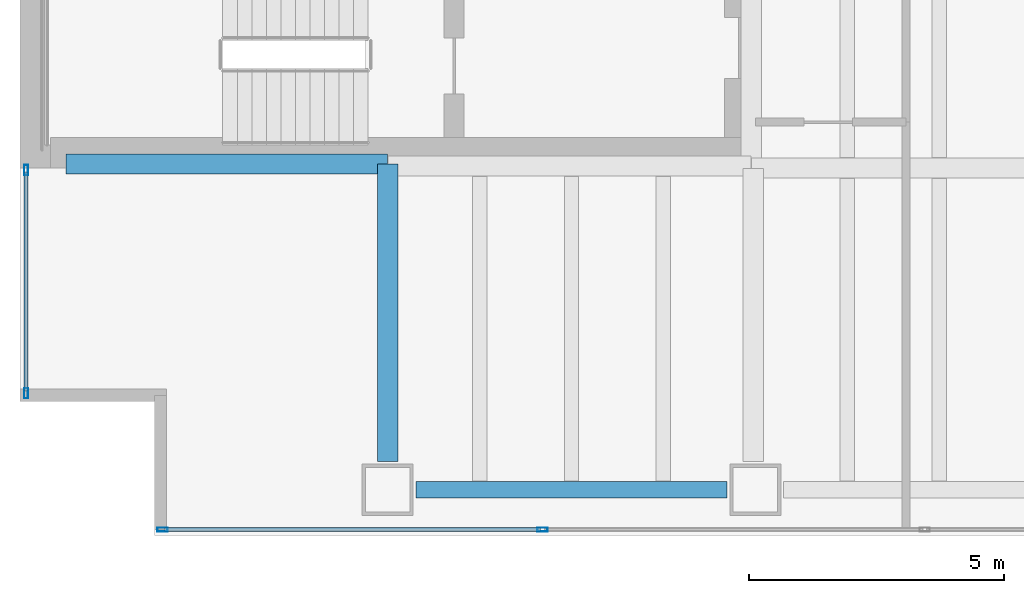
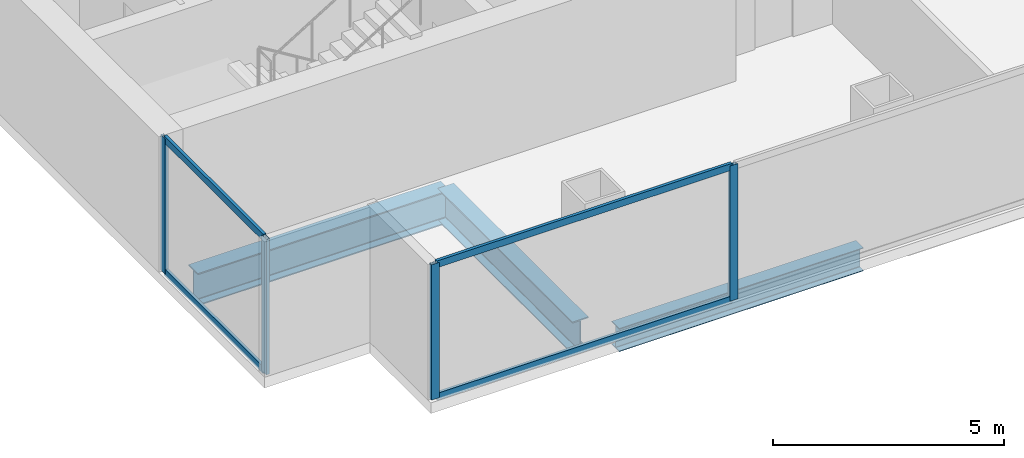
# One storey, part 2 of 25: 8 members, 3 beams, 2 elements without a shape of their own.
"""IFC4 building model written with IfcOpenShell, lengths in metres."""

import ifcopenshell
import ifcopenshell.guid

model = None  # the IFC model being written
_history = None  # IfcOwnerHistory: only IFC2X3 demands one
_inside = {}  # id of a spatial element -> (the spatial element, [elements in it])
_under = {}  # id of a project, library or spatial element -> (it, [spatial elements below it])
_declared = {}  # id of a project -> (the project, [libraries it declares])
_typed = {}  # id of a type object -> (the type object, [elements of that type])
_made_of = {}  # id of a material, layer set ... -> (it, [elements and type objects made of it])


def new_model(schema):
    """Start an empty IFC model of exactly this schema.

    Asked for "IFC4X3", IfcOpenShell would pick the latest addendum, in which some entities
    have other attributes; the version numbers below select the first issue.
    IFC2X3 requires an IfcOwnerHistory on every rooted entity: one is made here for all.
    """
    global model, _history
    if schema == "IFC4X3":
        model = ifcopenshell.file(schema_version=(4, 3, 0, 0))
    else:
        model = ifcopenshell.file(schema=schema)
    _inside.clear()
    _under.clear()
    _declared.clear()
    _typed.clear()
    _made_of.clear()
    _history = None
    if model.schema == "IFC2X3":
        org = make("IfcOrganization", Name="unknown")
        user = make(
            "IfcPersonAndOrganization",
            ThePerson=make("IfcPerson", FamilyName="unknown"),
            TheOrganization=org,
        )
        app = make(
            "IfcApplication",
            ApplicationDeveloper=org,
            Version="unknown",
            ApplicationFullName="unknown",
            ApplicationIdentifier="unknown",
        )
        _history = make(
            "IfcOwnerHistory",
            OwningUser=user,
            OwningApplication=app,
            ChangeAction="ADDED",
            CreationDate=0,
        )
    return model


def make(cls, **values):
    """One entity of the class cls with the attributes given. An attribute that is None is left unset."""
    return model.create_entity(
        cls, **{name: value for name, value in values.items() if value is not None}
    )


def rooted(cls, **values):
    """An entity with a GlobalId (a new one), such as an element, a storey or a relation."""
    return make(cls, GlobalId=ifcopenshell.guid.new(), OwnerHistory=_history, **values)


def si_unit(unit_type, name, prefix=None):
    """IfcSIUnit, for example si_unit("LENGTHUNIT", "METRE", prefix="MILLI")."""
    return make("IfcSIUnit", UnitType=unit_type, Prefix=prefix, Name=name)


def assignment(units):
    """IfcUnitAssignment: the units of a project."""
    return None if units is None else make("IfcUnitAssignment", Units=units)


def point(xyz):
    """IfcCartesianPoint."""
    return None if xyz is None else make("IfcCartesianPoint", Coordinates=xyz)


def direction(xyz):
    """IfcDirection."""
    return None if xyz is None else make("IfcDirection", DirectionRatios=xyz)


def frame(location, z_axis=None, x_axis=None):
    """IfcAxis2Placement3D, a coordinate frame: its origin and axes. An axis left out is left unset."""
    return make(
        "IfcAxis2Placement3D",
        Location=point(location),
        Axis=direction(z_axis),
        RefDirection=direction(x_axis),
    )


def frame_2d(location, x_axis=None):
    """IfcAxis2Placement2D, a coordinate frame in the plane: its origin and x axis."""
    return make(
        "IfcAxis2Placement2D", Location=point(location), RefDirection=direction(x_axis)
    )


def origin():
    """The frame at (0, 0, 0) with its axes left unset."""
    return frame((0.0, 0.0, 0.0))


def origin_2d():
    """The frame at (0, 0) in the plane with its x axis left unset."""
    return frame_2d((0.0, 0.0))


def place(relative_to, where):
    """IfcLocalPlacement: puts the frame where relative to a parent placement (None: the world)."""
    return make(
        "IfcLocalPlacement", PlacementRelTo=relative_to, RelativePlacement=where
    )


def context(
    kind, dimensions, precision=None, world=None, true_north=None, identifier=None
):
    """IfcGeometricRepresentationContext, for example the 3D "Model" context."""
    return make(
        "IfcGeometricRepresentationContext",
        ContextIdentifier=identifier,
        ContextType=kind,
        CoordinateSpaceDimension=dimensions,
        Precision=precision,
        WorldCoordinateSystem=world,
        TrueNorth=true_north,
    )


def subcontext(parent, identifier, kind, view, scale=None):
    """IfcGeometricRepresentationSubContext, for example "Body" below "Model"."""
    return make(
        "IfcGeometricRepresentationSubContext",
        ContextIdentifier=identifier,
        ContextType=kind,
        ParentContext=parent,
        TargetScale=scale,
        TargetView=view,
    )


def project(units=None, contexts=None):
    """IfcProject with its units and contexts."""
    return rooted(
        "IfcProject",
        Name="project",
        RepresentationContexts=contexts,
        UnitsInContext=assignment(units),
    )


def spatial(cls, under=None, at=None, **own):
    """A site, building, storey or space (cls), placed at a placement, below another one or the project."""
    s = rooted(cls, ObjectPlacement=at, **own)
    if under is not None:
        _under.setdefault(under.id(), (under, []))[1].append(s)
    return s


def profile(cls, at=None, kind="AREA", **sizes):
    """A parametric profile (cls). Its sizes go by their IFC names, for example OverallWidth=200.0."""
    return make(cls, ProfileType=kind, Position=at, **sizes)


def hollow_rectangle(**sizes):
    """IfcRectangleHollowProfileDef."""
    return profile("IfcRectangleHollowProfileDef", **sizes)


def i_section(**sizes):
    """IfcIShapeProfileDef."""
    return profile("IfcIShapeProfileDef", **sizes)


def extrude(swept, where, along, depth):
    """IfcExtrudedAreaSolid: the profile swept, set in the frame where, extruded along a direction by depth."""
    return make(
        "IfcExtrudedAreaSolid",
        SweptArea=swept,
        Position=where,
        ExtrudedDirection=direction(along),
        Depth=depth,
    )


def shape(context_of_items, identifier, shape_type, items):
    """IfcShapeRepresentation: the items that make up one representation, for example the "Body"."""
    return make(
        "IfcShapeRepresentation",
        ContextOfItems=context_of_items,
        RepresentationIdentifier=identifier,
        RepresentationType=shape_type,
        Items=items,
    )


def material(Name=None, Category=None):
    """IfcMaterial."""
    return make("IfcMaterial", Name=Name, Category=Category)


def material_profile(
    of_material, cross_section, Name=None, Category=None, Priority=None
):
    """IfcMaterialProfile: a cross section and its material."""
    return make(
        "IfcMaterialProfile",
        Name=Name,
        Material=of_material,
        Profile=cross_section,
        Priority=Priority,
        Category=Category,
    )


def profile_set(profiles, Name=None, composite=None):
    """IfcMaterialProfileSet."""
    return make(
        "IfcMaterialProfileSet",
        Name=Name,
        MaterialProfiles=profiles,
        CompositeProfile=composite,
    )


def made_of(thing, what):
    """Note that an element or type object is made of a material, layer set ...; save() writes the relation."""
    if what is not None:
        _made_of.setdefault(what.id(), (what, []))[1].append(thing)
    return thing


def type_object(cls, material=None, **own):
    """A type object (cls), such as IfcWallType, which elements share."""
    return made_of(rooted(cls, **own), material)


def element(
    cls,
    number,
    at=None,
    inside=None,
    cuts=None,
    type_object=None,
    material=None,
    context=None,
    identifier="Body",
    shape_type=None,
    held_by="IfcProductDefinitionShape",
    body=None,
    shapes=None,
    **own,
):
    """One element of the class cls, such as IfcWall. Its Tag is "e" and its number.

    at: its placement. inside: the storey or other place that contains it. cuts: it is an
    opening in that element (IfcRelVoidsElement). A single representation is given by context,
    identifier, shape_type and body (its items); several are given by shapes. held_by: the class
    of the entity that holds the representations. save() writes the other relations.
    """
    e = rooted(cls, Tag="e%d" % number, ObjectPlacement=at, **own)
    if body is not None:
        shapes = [shape(context, identifier, shape_type, body)]
    if shapes is not None:
        e.Representation = make(held_by, Representations=shapes)
    if inside is not None:
        _inside.setdefault(inside.id(), (inside, []))[1].append(e)
    if cuts is not None:
        rooted(
            "IfcRelVoidsElement", RelatingBuildingElement=cuts, RelatedOpeningElement=e
        )
    if type_object is not None:
        _typed.setdefault(type_object.id(), (type_object, []))[1].append(e)
    return made_of(e, material)


def aggregate(whole, parts):
    """IfcRelAggregates: a whole, such as a stair, and the parts it consists of."""
    return rooted("IfcRelAggregates", RelatingObject=whole, RelatedObjects=parts)


def save(model, path):
    """Write the relations noted so far, then the file.

    IfcRelAggregates (storeys below a building ...), IfcRelContainedInSpatialStructure (elements
    in a storey), IfcRelDefinesByType, IfcRelAssociatesMaterial and IfcRelDeclares: one each for
    every whole, place, type object, material and project.
    """
    for whole, parts in _under.values():
        aggregate(whole, parts)
    for where, things in _inside.values():
        rooted(
            "IfcRelContainedInSpatialStructure",
            RelatedElements=things,
            RelatingStructure=where,
        )
    for kind, things in _typed.values():
        rooted("IfcRelDefinesByType", RelatedObjects=things, RelatingType=kind)
    for what, things in _made_of.values():
        rooted("IfcRelAssociatesMaterial", RelatedObjects=things, RelatingMaterial=what)
    for by, libraries in _declared.values():
        rooted("IfcRelDeclares", RelatingContext=by, RelatedDefinitions=libraries)
    model.write(path)


model = new_model("IFC4")

# Units and contexts
model_context = context("Model", 3, precision=1e-05, world=origin(), true_north=direction((0.0, 1.0)))
body_context = subcontext(model_context, "Body", "Model", "MODEL_VIEW")
ifc_project = project(units=[si_unit("LENGTHUNIT", "METRE"), si_unit("AREAUNIT", "SQUARE_METRE"), si_unit("VOLUMEUNIT", "CUBIC_METRE"), si_unit("PLANEANGLEUNIT", "RADIAN"), si_unit("MASSUNIT", "GRAM", prefix="KILO")], contexts=[model_context])

# Site, building, storey
site_placement = place(None, origin())
site = spatial("IfcSite", under=ifc_project, at=site_placement, CompositionType="ELEMENT")
building_placement = place(site_placement, origin())
building = spatial("IfcBuilding", under=site, at=building_placement, Name="Cobrela Telecom Tower", CompositionType="ELEMENT")
storey_placement = place(building_placement, frame((0.0, 0.0, 46.550048828125)))
storey = spatial("IfcBuildingStorey", under=building, at=storey_placement, Name="L11", CompositionType="ELEMENT", Elevation=46.550048828125)

# Beams
ifc_material_1 = material(Name="Steel ASTM A992 Grade 50", Category="steel")
ifc_material_profile_1 = material_profile(ifc_material_1, i_section(OverallWidth=0.39892578125, OverallDepth=0.85595703125, WebThickness=0.018310546875, FlangeThickness=0.029296875, FilletRadius=0.02001953125, at=origin_2d()), Name="W33X201")
ifc_profile_set_1 = profile_set([ifc_material_profile_1], Name="Steel ASTM A992 Grade 50")
beam_type_1 = type_object("IfcBeamType", Name="BM-GIRD-03", PredefinedType="USERDEFINED", material=ifc_profile_set_1)
beam_1_placement = place(storey_placement, frame((0.905029296875, 7.280029296875, -0.7080078125), z_axis=(1.0, 0.0, 0.0), x_axis=(0.0, 1.0, 0.0)))
element("IfcBeam", 1, at=beam_1_placement, inside=storey, type_object=beam_type_1, Name="L11 Primary Girder X06", ObjectType="GIRDER", PredefinedType="USERDEFINED", context=body_context, shape_type="SweptSolid", body=[
    extrude(i_section(OverallWidth=0.39892578125, OverallDepth=0.85595703125, WebThickness=0.018310546875, FlangeThickness=0.029296875, FilletRadius=0.02001953125, at=origin_2d()), origin(), (0.0, 0.0, 1.0), 6.2900390625),
])
beam_2_placement = place(storey_placement, frame((7.199951171875, 1.455078125, -0.7080078125), z_axis=(0.0, 1.0, 0.0), x_axis=(-1.0, 0.0, 0.0)))
element("IfcBeam", 2, at=beam_2_placement, inside=storey, type_object=beam_type_1, Name="L11 Primary Girder Y32", ObjectType="GIRDER", PredefinedType="USERDEFINED", context=body_context, shape_type="SweptSolid", body=[
    extrude(i_section(OverallWidth=0.39892578125, OverallDepth=0.85595703125, WebThickness=0.018310546875, FlangeThickness=0.029296875, FilletRadius=0.02001953125, at=origin_2d()), origin(), (0.0, 0.0, 1.0), 5.81982421875),
])
ifc_material_profile_2 = material_profile(ifc_material_1, i_section(OverallWidth=0.324951171875, OverallDepth=0.612060546875, WebThickness=0.0126953125, FlangeThickness=0.01904296875, FilletRadius=0.014892578125, at=origin_2d()), Name="W24X104")
ifc_profile_set_2 = profile_set([ifc_material_profile_2], Name="Steel ASTM A992 Grade 50")
beam_type_2 = type_object("IfcBeamType", Name="BM-SPAND-02", PredefinedType="SPANDREL", material=ifc_profile_set_2)
beam_3_placement = place(storey_placement, frame((7.7548828125, 0.89990234375, -0.5859375), z_axis=(1.0, 0.0, 0.0), x_axis=(0.0, 1.0, 0.0)))
element("IfcBeam", 3, at=beam_3_placement, inside=storey, type_object=beam_type_2, Name="L11 Perimeter Spandrel X01", PredefinedType="SPANDREL", context=body_context, shape_type="SweptSolid", body=[
    extrude(i_section(OverallWidth=0.324951171875, OverallDepth=0.612060546875, WebThickness=0.0126953125, FlangeThickness=0.01904296875, FilletRadius=0.014892578125, at=origin_2d()), origin(), (0.0, 0.0, 1.0), 6.090087890625),
])

# Curtain wall, members
ifc_material_2 = material(Name="Anodized Bronze Aluminium 6063-T6", Category="aluminium")
curtain_wall_type = type_object("IfcCurtainWallType", Name="CW-SYS-DATA", PredefinedType="USERDEFINED", material=ifc_material_2)
curtain_wall_1_placement = place(storey_placement, origin())
curtain_wall_1 = element("IfcCurtainWall", 4, at=curtain_wall_1_placement, inside=storey, type_object=curtain_wall_type, Name="L11 Unitised Bronze Curtain Wall 03", ObjectType="UNITISED CURTAIN WALL", PredefinedType="USERDEFINED")
ifc_material_profile_3 = material_profile(ifc_material_2, hollow_rectangle(XDim=0.080078125, YDim=0.199951171875, WallThickness=0.00390625, at=origin_2d()), Name="ALU 80x200x4")
ifc_profile_set_3 = profile_set([ifc_material_profile_3], Name="Anodized Bronze Aluminium 6063-T6")
member_type_1 = type_object("IfcMemberType", Name="CW-SYS-DATA-MUL", PredefinedType="MULLION", material=ifc_profile_set_3)
member_1_placement = place(storey_placement, frame((0.1201171875, 2.7900390625, 0.0), z_axis=(0.0, 0.0, 1.0), x_axis=(-1.0, 0.0, 0.0)))
member_1 = element("IfcMember", 5, at=member_1_placement, type_object=member_type_1, Name="CW-DATA mullion 1", PredefinedType="MULLION", context=body_context, shape_type="SweptSolid", body=[
    extrude(hollow_rectangle(XDim=0.080078125, YDim=0.199951171875, WallThickness=0.00390625, at=origin_2d()), origin(), (0.0, 0.0, 1.0), 3.570068359375),
])
member_2_placement = place(storey_placement, frame((0.1201171875, 7.159912109375, 0.0), z_axis=(0.0, 0.0, 1.0), x_axis=(-1.0, 0.0, 0.0)))
member_2 = element("IfcMember", 6, at=member_2_placement, type_object=member_type_1, Name="CW-DATA mullion 2", PredefinedType="MULLION", context=body_context, shape_type="SweptSolid", body=[
    extrude(hollow_rectangle(XDim=0.080078125, YDim=0.199951171875, WallThickness=0.00390625, at=origin_2d()), origin(), (0.0, 0.0, 1.0), 3.570068359375),
])

curtain_wall_2_placement = place(storey_placement, origin())
curtain_wall_2 = element("IfcCurtainWall", 7, at=curtain_wall_2_placement, inside=storey, type_object=curtain_wall_type, Name="L11 Unitised Bronze Curtain Wall 17", ObjectType="UNITISED CURTAIN WALL", PredefinedType="USERDEFINED")
member_3_placement = place(storey_placement, frame((10.2333984375, 0.1201171875, 0.0), z_axis=(0.0, 0.0, 1.0), x_axis=(0.0, -1.0, 0.0)))
member_3 = element("IfcMember", 8, at=member_3_placement, type_object=member_type_1, Name="CW-DATA mullion 6", PredefinedType="MULLION", context=body_context, shape_type="SweptSolid", body=[
    extrude(hollow_rectangle(XDim=0.080078125, YDim=0.199951171875, WallThickness=0.00390625, at=origin_2d()), origin(), (0.0, 0.0, 1.0), 3.570068359375),
])
member_4_placement = place(storey_placement, frame((2.7900390625, 0.1201171875, 0.0), z_axis=(0.0, 0.0, 1.0), x_axis=(0.0, -1.0, 0.0)))
member_4 = element("IfcMember", 9, at=member_4_placement, type_object=member_type_1, Name="CW-DATA mullion 7", PredefinedType="MULLION", context=body_context, shape_type="SweptSolid", body=[
    extrude(hollow_rectangle(XDim=0.080078125, YDim=0.199951171875, WallThickness=0.00390625, at=origin_2d()), origin(), (0.0, 0.0, 1.0), 3.570068359375),
])

# Member
ifc_material_profile_4 = material_profile(ifc_material_2, hollow_rectangle(XDim=0.074951171875, YDim=0.179931640625, WallThickness=0.00390625, at=origin_2d()), Name="ALU 75x180x4")
ifc_profile_set_4 = profile_set([ifc_material_profile_4], Name="Anodized Bronze Aluminium 6063-T6")
member_type_2 = type_object("IfcMemberType", Name="CW-SYS-DATA-TRN", PredefinedType="USERDEFINED", material=ifc_profile_set_4)
member_5_placement = place(storey_placement, frame((0.1201171875, 2.830078125, 0.037353515625), z_axis=(0.0, 1.0, 0.0), x_axis=(-1.0, 0.0, 0.0)))
member_5 = element("IfcMember", 10, at=member_5_placement, type_object=member_type_2, Name="CW-DATA transom 1.1", ObjectType="TRANSOM", PredefinedType="USERDEFINED", context=body_context, shape_type="SweptSolid", body=[
    extrude(hollow_rectangle(XDim=0.074951171875, YDim=0.179931640625, WallThickness=0.00390625, at=origin_2d()), origin(), (0.0, 0.0, 1.0), 4.2900390625),
])

member_6_placement = place(storey_placement, frame((0.1201171875, 2.830078125, 3.532470703125), z_axis=(0.0, 1.0, 0.0), x_axis=(-1.0, 0.0, 0.0)))
member_6 = element("IfcMember", 11, at=member_6_placement, type_object=member_type_2, Name="CW-DATA transom 1.2", ObjectType="TRANSOM", PredefinedType="USERDEFINED", context=body_context, shape_type="SweptSolid", body=[
    extrude(hollow_rectangle(XDim=0.074951171875, YDim=0.179931640625, WallThickness=0.00390625, at=origin_2d()), origin(), (0.0, 0.0, 1.0), 4.2900390625),
])

aggregate(curtain_wall_1, [member_1, member_2, member_5, member_6])

member_7_placement = place(storey_placement, frame((10.193359375, 0.1201171875, 0.037353515625), z_axis=(-1.0, 0.0, 0.0), x_axis=(0.0, -1.0, 0.0)))
member_7 = element("IfcMember", 12, at=member_7_placement, type_object=member_type_2, Name="CW-DATA transom 6.1", ObjectType="TRANSOM", PredefinedType="USERDEFINED", context=body_context, shape_type="SweptSolid", body=[
    extrude(hollow_rectangle(XDim=0.074951171875, YDim=0.179931640625, WallThickness=0.00390625, at=origin_2d()), origin(), (0.0, 0.0, 1.0), 7.36328125),
])

member_8_placement = place(storey_placement, frame((10.193359375, 0.1201171875, 3.532470703125), z_axis=(-1.0, 0.0, 0.0), x_axis=(0.0, -1.0, 0.0)))
member_8 = element("IfcMember", 13, at=member_8_placement, type_object=member_type_2, Name="CW-DATA transom 6.2", ObjectType="TRANSOM", PredefinedType="USERDEFINED", context=body_context, shape_type="SweptSolid", body=[
    extrude(hollow_rectangle(XDim=0.074951171875, YDim=0.179931640625, WallThickness=0.00390625, at=origin_2d()), origin(), (0.0, 0.0, 1.0), 7.36328125),
])

aggregate(curtain_wall_2, [member_3, member_4, member_7, member_8])

save(model, "model.ifc")
